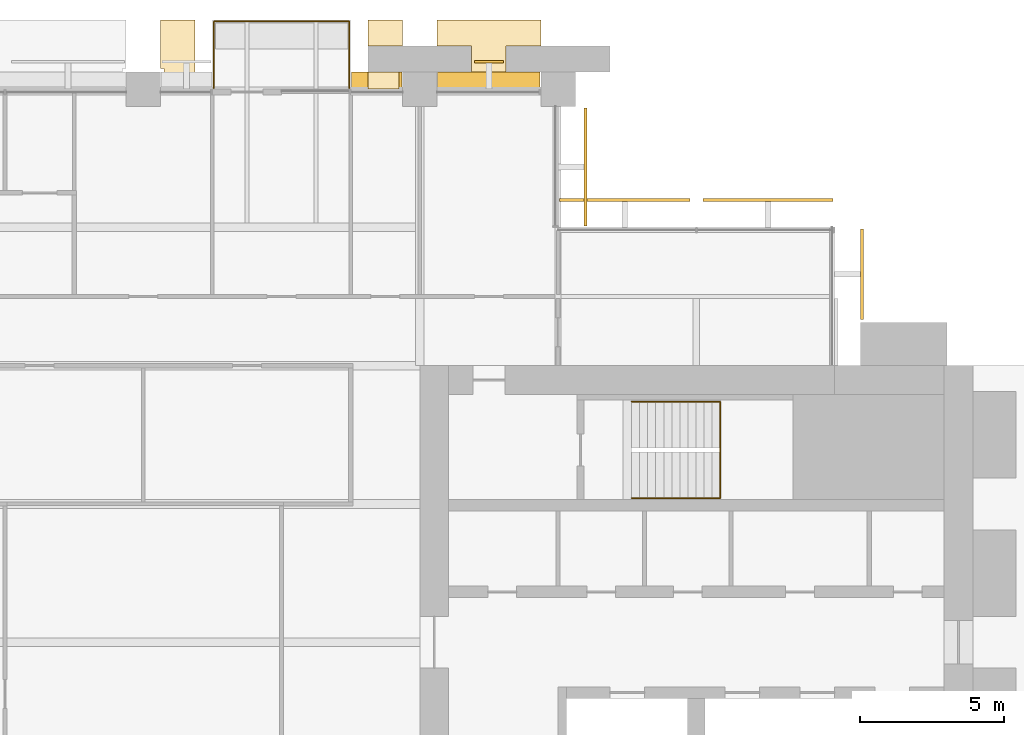
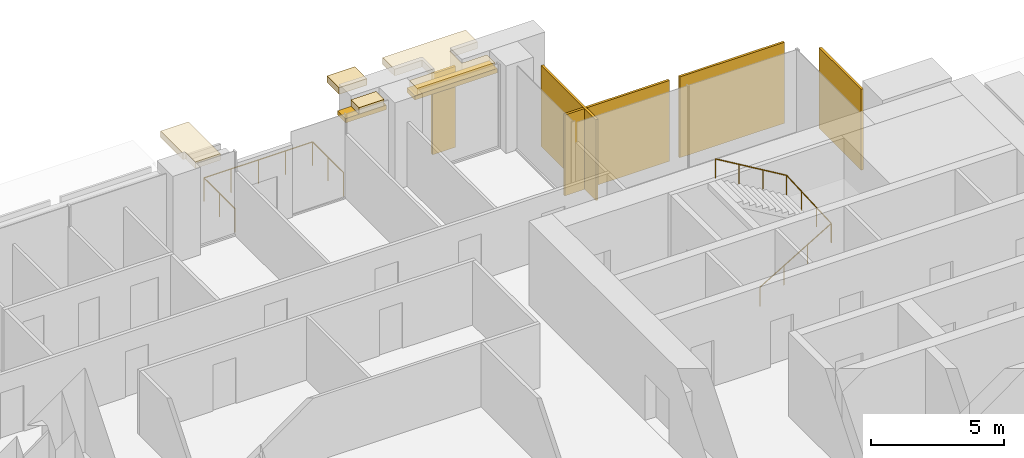
# One storey, part 15 of 15: 9 coverings, 2 railings, 2 shading devices.
"""IFC4 building model written with IfcOpenShell, lengths in metres."""

from ifc_helpers import new_model, si_unit, direction, frame, origin, origin_2d, place, context, subcontext, project, spatial, polyline, rectangle, circle, outline, extrude, material, layer, layer_set, type_object, element, save


model = new_model("IFC4")

# Units and contexts
model_context = context("Model", 3, precision=1e-05, world=origin(), true_north=direction((0.0, 1.0)))
body_context = subcontext(model_context, "Body", "Model", "MODEL_VIEW")
ifc_project = project(units=[si_unit("LENGTHUNIT", "METRE"), si_unit("AREAUNIT", "SQUARE_METRE"), si_unit("VOLUMEUNIT", "CUBIC_METRE"), si_unit("PLANEANGLEUNIT", "RADIAN"), si_unit("MASSUNIT", "GRAM", prefix="KILO")], contexts=[model_context])

# Site, building, storey
site_placement = place(None, origin())
site = spatial("IfcSite", under=ifc_project, at=site_placement, CompositionType="ELEMENT")
building_placement = place(site_placement, origin())
building = spatial("IfcBuilding", under=site, at=building_placement, Name="Baori Bourse Tower", CompositionType="ELEMENT")
storey_placement = place(building_placement, frame((0.0, 0.0, 116.10009765625)))
storey = spatial("IfcBuildingStorey", under=building, at=storey_placement, Name="L24", CompositionType="ELEMENT", Elevation=116.10009765625)

# Coverings
ifc_material_1 = material(Name="Pale anodised aluminium", Category="aluminium")
covering_type_1 = type_object("IfcCoveringType", Name="BD1 Pale metal band", PredefinedType="CLADDING", material=ifc_material_1)
covering_1_placement = place(storey_placement, frame((0.0, 0.0, 3.539794921875)))
element("IfcCovering", 1, at=covering_1_placement, inside=storey, type_object=covering_type_1, Name="Pale projecting band L24 2", PredefinedType="CLADDING", context=body_context, shape_type="SweptSolid", body=[
    extrude(outline(polyline([(39.1201171875, 48.0), (42.47998046875, 48.0), (42.47998046875, 48.60009765625), (41.39990234375, 48.60009765625), (41.39990234375, 49.5), (42.60009765625, 49.5), (42.60009765625, 50.39990234375), (39.0, 50.39990234375), (39.0, 49.5), (40.199951171875, 49.5), (40.199951171875, 48.60009765625), (39.1201171875, 48.60009765625), (39.1201171875, 48.0)])), origin(), (0.0, 0.0, 1.0), 0.300048828125),
])
covering_2_placement = place(storey_placement, frame((0.0, 0.0, 3.539794921875)))
element("IfcCovering", 2, at=covering_2_placement, inside=storey, type_object=covering_type_1, Name="Pale projecting band L24 3", PredefinedType="CLADDING", context=body_context, shape_type="SweptSolid", body=[
    extrude(outline(polyline([(37.800048828125, 50.39990234375), (36.60009765625, 50.39990234375), (36.60009765625, 49.5), (37.800048828125, 49.5), (37.800048828125, 50.39990234375)])), origin(), (0.0, 0.0, 1.0), 0.300048828125),
])
covering_3_placement = place(storey_placement, frame((0.0, 0.0, 3.539794921875)))
element("IfcCovering", 3, at=covering_3_placement, inside=storey, type_object=covering_type_1, Name="Pale projecting band L24 4", PredefinedType="CLADDING", context=body_context, shape_type="SweptSolid", body=[
    extrude(outline(polyline([(36.60009765625, 48.0), (37.679931640625, 48.0), (37.679931640625, 48.60009765625), (36.60009765625, 48.60009765625), (36.60009765625, 48.0)])), origin(), (0.0, 0.0, 1.0), 0.300048828125),
])
covering_4_placement = place(storey_placement, frame((0.0, 0.0, 3.539794921875)))
element("IfcCovering", 4, at=covering_4_placement, inside=storey, type_object=covering_type_1, Name="Pale projecting band L24 5", PredefinedType="CLADDING", context=body_context, shape_type="SweptSolid", body=[
    extrude(outline(polyline([(29.52001953125, 48.0), (30.60009765625, 48.0), (30.60009765625, 50.39990234375), (29.39990234375, 50.39990234375), (29.39990234375, 48.719970703125), (29.52001953125, 48.719970703125), (29.52001953125, 48.0)])), origin(), (0.0, 0.0, 1.0), 0.300048828125),
])

# Shading devices
ifc_material_2 = material(Name="Concrete f'c 40 MPa", Category="concrete")
ifc_layer_1 = layer(ifc_material_2, 0.199951171875)
ifc_layer_set_1 = layer_set([ifc_layer_1], Name="BS1 Brise-soleil ledge")
shading_device_type = type_object("IfcShadingDeviceType", Name="BS1 Brise-soleil ledge", PredefinedType="USERDEFINED", material=ifc_layer_set_1)
shading_device_1_placement = place(storey_placement, frame((40.800048828125, 48.300048828125, 3.33984375), z_axis=(0.0, 0.0, 1.0), x_axis=(-1.0, 0.0, 0.0)))
element("IfcShadingDevice", 5, at=shading_device_1_placement, inside=storey, type_object=shading_device_type, Name="Brise-soleil ledge L24 1", ObjectType="BRISE SOLEIL", PredefinedType="USERDEFINED", context=body_context, shape_type="SweptSolid", body=[
    extrude(rectangle(XDim=3.56005859375, YDim=0.60009765625, at=origin_2d()), origin(), (0.0, 0.0, 1.0), 0.199951171875),
])
shading_device_2_placement = place(storey_placement, frame((36.89990234375, 48.300048828125, 3.33984375), z_axis=(0.0, 0.0, 1.0), x_axis=(-1.0, 0.0, 0.0)))
element("IfcShadingDevice", 6, at=shading_device_2_placement, inside=storey, type_object=shading_device_type, Name="Brise-soleil ledge L24 2", ObjectType="BRISE SOLEIL", PredefinedType="USERDEFINED", context=body_context, shape_type="SweptSolid", body=[
    extrude(rectangle(XDim=1.760009765625, YDim=0.60009765625, at=origin_2d()), origin(), (0.0, 0.0, 1.0), 0.199951171875),
])

# Railings
ifc_material_3 = material(Name="Powder-coated steel balustrade", Category="steel")
railing_type_1 = type_object("IfcRailingType", Name="Core stair handrail", PredefinedType="HANDRAIL", material=ifc_material_3)
railing_1_placement = place(storey_placement, frame((45.75, 33.800048828125, 0.16650390625)))
element("IfcRailing", 7, at=railing_1_placement, inside=storey, type_object=railing_type_1, Name="L24 ST4 stair handrail 1", PredefinedType="HANDRAIL", context=body_context, shape_type="SweptSolid", body=[
    extrude(circle(Radius=0.02392578125, at=origin_2d()), frame((0.0, 0.0, 0.8759765625), z_axis=(0.85927862911, 0.0, 0.511507807912), x_axis=(0.0, 1.0, 0.0)), (0.0, 0.0, 1.0), 3.58447265625),
    extrude(circle(Radius=0.02392578125, at=origin_2d()), frame((3.080078125, 0.0, 2.70947265625), z_axis=(0.0, 0.998766999029, 0.049643545903), x_axis=(-1.0, 0.0, 0.0)), (0.0, 0.0, 1.0), 3.35400390625),
    extrude(circle(Radius=0.02392578125, at=origin_2d()), frame((3.080078125, 3.349853515625, 2.8759765625), z_axis=(-0.85927862911, 0.0, 0.511507807912), x_axis=(0.0, -1.0, 0.0)), (0.0, 0.0, 1.0), 3.58447265625),
    extrude(circle(Radius=0.02099609375, at=origin_2d()), origin(), (0.0, 0.0, 1.0), 0.851806640625),
    extrude(circle(Radius=0.02099609375, at=origin_2d()), frame((1.026611328125, 0.0, 0.611083984375)), (0.0, 0.0, 1.0), 0.851806640625),
    extrude(circle(Radius=0.02099609375, at=origin_2d()), frame((2.053466796875, 0.0, 1.222412109375)), (0.0, 0.0, 1.0), 0.851806640625),
    extrude(circle(Radius=0.02099609375, at=origin_2d()), frame((3.080078125, 0.0, 1.83349609375)), (0.0, 0.0, 1.0), 0.851806640625),
    extrude(circle(Radius=0.02099609375, at=origin_2d()), frame((3.080078125, 1.11669921875, 1.888916015625)), (0.0, 0.0, 1.0), 0.851806640625),
    extrude(circle(Radius=0.02099609375, at=origin_2d()), frame((3.080078125, 2.233154296875, 1.944580078125)), (0.0, 0.0, 1.0), 0.851806640625),
    extrude(circle(Radius=0.02099609375, at=origin_2d()), frame((3.080078125, 3.349853515625, 2.0)), (0.0, 0.0, 1.0), 0.851806640625),
    extrude(circle(Radius=0.02099609375, at=origin_2d()), frame((2.053466796875, 3.349853515625, 2.611083984375)), (0.0, 0.0, 1.0), 0.851806640625),
    extrude(circle(Radius=0.02099609375, at=origin_2d()), frame((1.026611328125, 3.349853515625, 3.222412109375)), (0.0, 0.0, 1.0), 0.851806640625),
    extrude(circle(Radius=0.02099609375, at=origin_2d()), frame((0.0, 3.349853515625, 3.83349609375)), (0.0, 0.0, 1.0), 0.851806640625),
])
ifc_material_4 = material(Name="Stainless steel", Category="steel")
railing_type_2 = type_object("IfcRailingType", Name="GD1 Guard", PredefinedType="GUARDRAIL", material=ifc_material_4)
railing_2_placement = place(storey_placement, frame((31.25, 48.030029296875, 0.0)))
element("IfcRailing", 8, at=railing_2_placement, inside=storey, type_object=railing_type_2, Name="Guard balcony N L24 3", PredefinedType="GUARDRAIL", context=body_context, shape_type="SweptSolid", body=[
    extrude(circle(Radius=0.02392578125, at=origin_2d()), frame((0.0, 0.0, 1.076171875), z_axis=(0.0, 1.0, 0.0), x_axis=(-1.0, 0.0, 0.0)), (0.0, 0.0, 1.0), 2.320068359375),
    extrude(circle(Radius=0.02392578125, at=origin_2d()), frame((0.0, 2.320068359375, 1.076171875), z_axis=(1.0, 0.0, 0.0), x_axis=(0.0, 1.0, 0.0)), (0.0, 0.0, 1.0), 4.699951171875),
    extrude(circle(Radius=0.02392578125, at=origin_2d()), frame((4.699951171875, 2.320068359375, 1.076171875), z_axis=(0.0, -1.0, 0.0), x_axis=(1.0, 0.0, 0.0)), (0.0, 0.0, 1.0), 2.320068359375),
    extrude(circle(Radius=0.02099609375, at=origin_2d()), origin(), (0.0, 0.0, 1.0), 1.052001953125),
    extrude(circle(Radius=0.02099609375, at=origin_2d()), frame((0.0, 1.16015625, 0.0)), (0.0, 0.0, 1.0), 1.052001953125),
    extrude(circle(Radius=0.02099609375, at=origin_2d()), frame((0.0, 2.320068359375, 0.0)), (0.0, 0.0, 1.0), 1.052001953125),
    extrude(circle(Radius=0.02099609375, at=origin_2d()), frame((1.175048828125, 2.320068359375, 0.0)), (0.0, 0.0, 1.0), 1.052001953125),
    extrude(circle(Radius=0.02099609375, at=origin_2d()), frame((2.35009765625, 2.320068359375, 0.0)), (0.0, 0.0, 1.0), 1.052001953125),
    extrude(circle(Radius=0.02099609375, at=origin_2d()), frame((3.52490234375, 2.320068359375, 0.0)), (0.0, 0.0, 1.0), 1.052001953125),
    extrude(circle(Radius=0.02099609375, at=origin_2d()), frame((4.699951171875, 2.320068359375, 0.0)), (0.0, 0.0, 1.0), 1.052001953125),
    extrude(circle(Radius=0.02099609375, at=origin_2d()), frame((4.699951171875, 1.16015625, 0.0)), (0.0, 0.0, 1.0), 1.052001953125),
    extrude(circle(Radius=0.02099609375, at=origin_2d()), frame((4.699951171875, 0.0, 0.0)), (0.0, 0.0, 1.0), 1.052001953125),
])

# Coverings
ifc_material_5 = material(Name="Pale anodised aluminium", Category="aluminium")
ifc_layer_2 = layer(ifc_material_5, 0.10009765625)
ifc_layer_set_2 = layer_set([ifc_layer_2], Name="OS3 Outer skin screen panel")
covering_type_2 = type_object("IfcCoveringType", Name="OS3 Outer skin screen panel", PredefinedType="CLADDING", material=ifc_layer_set_2)
covering_5_placement = place(storey_placement, frame((0.0, 0.0, -0.16015625)))
element("IfcCovering", 9, at=covering_5_placement, inside=storey, type_object=covering_type_2, Name="Outer skin screen L24 1", PredefinedType="CLADDING", context=body_context, shape_type="SweptSolid", body=[
    extrude(outline(polyline([(53.699951171875, 43.14990234375), (53.699951171875, 40.0), (53.800048828125, 40.0), (53.800048828125, 43.14990234375), (53.699951171875, 43.14990234375)])), origin(), (0.0, 0.0, 1.0), 3.699951171875),
])
covering_6_placement = place(storey_placement, frame((0.0, 0.0, -0.16015625)))
element("IfcCovering", 10, at=covering_6_placement, inside=storey, type_object=covering_type_2, Name="Outer skin screen L24 2", PredefinedType="CLADDING", context=body_context, shape_type="SweptSolid", body=[
    extrude(outline(polyline([(48.22509765625, 44.10009765625), (52.75, 44.10009765625), (52.75, 44.199951171875), (48.22509765625, 44.199951171875), (48.22509765625, 44.10009765625)])), origin(), (0.0, 0.0, 1.0), 3.699951171875),
])
covering_7_placement = place(storey_placement, frame((0.0, 0.0, -0.16015625)))
element("IfcCovering", 11, at=covering_7_placement, inside=storey, type_object=covering_type_2, Name="Outer skin screen L24 3", PredefinedType="CLADDING", context=body_context, shape_type="SweptSolid", body=[
    extrude(outline(polyline([(43.25, 44.10009765625), (47.77490234375, 44.10009765625), (47.77490234375, 44.199951171875), (43.25, 44.199951171875), (43.25, 44.10009765625)])), origin(), (0.0, 0.0, 1.0), 3.699951171875),
])
covering_8_placement = place(storey_placement, frame((0.0, 0.0, -0.16015625)))
element("IfcCovering", 12, at=covering_8_placement, inside=storey, type_object=covering_type_2, Name="Outer skin screen L24 4", PredefinedType="CLADDING", context=body_context, shape_type="SweptSolid", body=[
    extrude(outline(polyline([(44.10009765625, 47.35009765625), (44.10009765625, 43.25), (44.199951171875, 43.25), (44.199951171875, 47.35009765625), (44.10009765625, 47.35009765625)])), origin(), (0.0, 0.0, 1.0), 3.699951171875),
])
covering_9_placement = place(storey_placement, frame((0.0, 0.0, -0.16015625)))
element("IfcCovering", 13, at=covering_9_placement, inside=storey, type_object=covering_type_2, Name="Outer skin screen L24 5", PredefinedType="CLADDING", context=body_context, shape_type="SweptSolid", body=[
    extrude(outline(polyline([(40.300048828125, 48.89990234375), (41.300048828125, 48.89990234375), (41.300048828125, 49.0), (40.300048828125, 49.0), (40.300048828125, 48.89990234375)])), origin(), (0.0, 0.0, 1.0), 3.699951171875),
])

save(model, "model.ifc")
